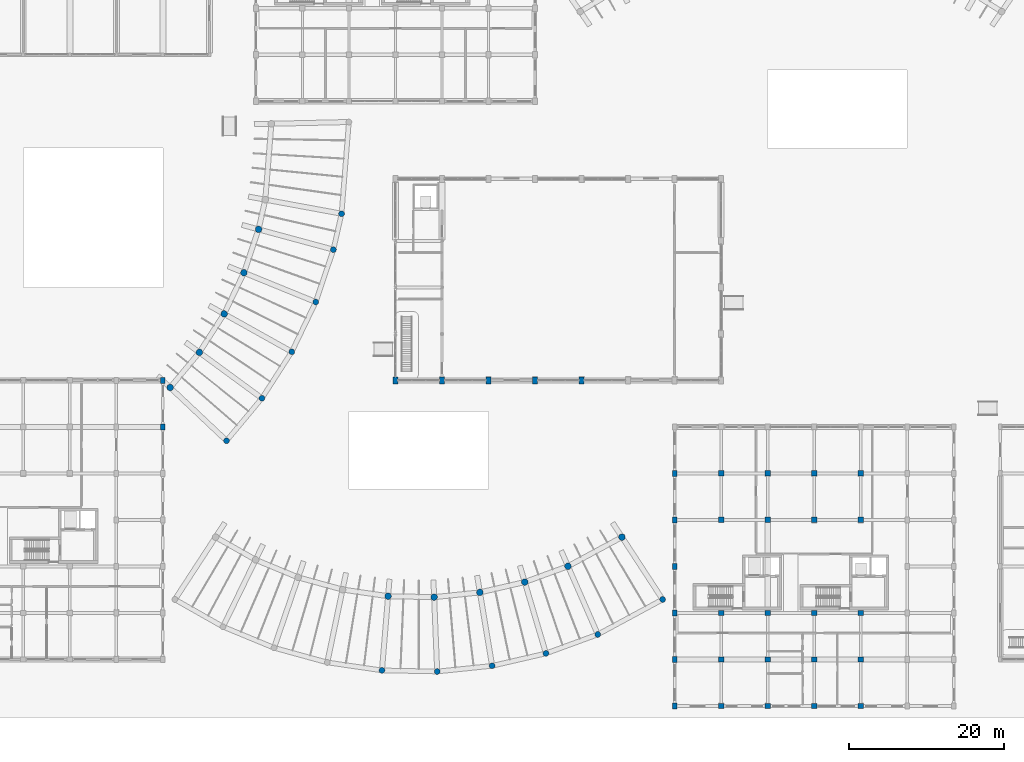
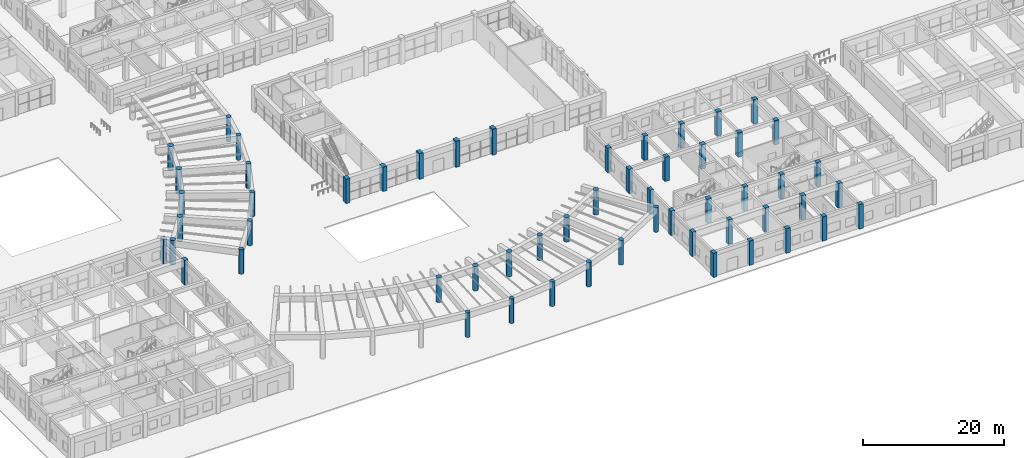
# One storey, part 3 of 76: 56 columns.
"""IFC4 building model written with IfcOpenShell, lengths in metres."""

from ifc_helpers import new_model, si_unit, direction, frame, origin, origin_2d, place, context, subcontext, project, spatial, rectangle, circle, extrude, material, material_profile, profile_set, type_object, element, save


model = new_model("IFC4")

# Units and contexts
model_context = context("Model", 3, precision=1e-05, world=origin(), true_north=direction((0.0, 1.0)))
body_context = subcontext(model_context, "Body", "Model", "MODEL_VIEW")
ifc_project = project(units=[si_unit("LENGTHUNIT", "METRE"), si_unit("AREAUNIT", "SQUARE_METRE"), si_unit("VOLUMEUNIT", "CUBIC_METRE"), si_unit("PLANEANGLEUNIT", "RADIAN"), si_unit("MASSUNIT", "GRAM", prefix="KILO"), si_unit("POWERUNIT", "WATT"), si_unit("THERMODYNAMICTEMPERATUREUNIT", "KELVIN")], contexts=[model_context])

# Site, building, storey
site_placement = place(None, origin())
site = spatial("IfcSite", under=ifc_project, at=site_placement, CompositionType="ELEMENT")
building_placement = place(site_placement, origin())
building = spatial("IfcBuilding", under=site, at=building_placement, Name="Ruvembo Vaulted Housing Court", CompositionType="ELEMENT")
storey_placement = place(building_placement, origin())
storey = spatial("IfcBuildingStorey", under=building, at=storey_placement, Name="L00", CompositionType="ELEMENT", Elevation=0.0)

# Columns
ifc_material = material(Name="Concrete C40/50", Category="concrete")
ifc_material_profile_1 = material_profile(ifc_material, rectangle(XDim=0.60009765625, YDim=0.800048828125, at=origin_2d()), Name="RC 600x800")
ifc_profile_set_1 = profile_set([ifc_material_profile_1], Name="Concrete C40/50")
column_type_1 = type_object("IfcColumnType", Name="COL-RC-600x800", PredefinedType="COLUMN", material=ifc_profile_set_1)
for number, where, z_axis, x_axis, name in (
    (1, (36.0, 36.0, 0.0), (0.0, 0.0, 1.0), (1.0, 0.0, 0.0), "L00 Column (36,36)"),
    (2, (36.0, 42.0, 0.0), (0.0, 0.0, 1.0), (1.0, 0.0, 0.0), "L00 Column (36,42)"),
    (3, (102.0, 0.0, 0.0), (0.0, 0.0, 1.0), (1.0, 0.0, 0.0), "L00 Column (102,0)"),
    (4, (102.0, 6.0, 0.0), (0.0, 0.0, 1.0), (1.0, 0.0, 0.0), "L00 Column (102,6)"),
    (5, (102.0, 12.0, 0.0), (0.0, 0.0, 1.0), (1.0, 0.0, 0.0), "L00 Column (102,12)"),
    (6, (102.0, 18.0, 0.0), (0.0, 0.0, 1.0), (1.0, 0.0, 0.0), "L00 Column (102,18)"),
    (7, (102.0, 24.0, 0.0), (0.0, 0.0, 1.0), (1.0, 0.0, 0.0), "L00 Column (102,24)"),
    (8, (102.0, 30.0, 0.0), (0.0, 0.0, 1.0), (1.0, 0.0, 0.0), "L00 Column (102,30)"),
):
    element("IfcColumn", number, at=place(storey_placement, frame(where, z_axis=z_axis, x_axis=x_axis)), inside=storey, type_object=column_type_1, Name=name, PredefinedType="COLUMN", context=body_context, shape_type="SweptSolid", body=[
        extrude(rectangle(XDim=0.60009765625, YDim=0.800048828125, at=origin_2d()), origin(), (0.0, 0.0, 1.0), 4.22998046875),
    ])
ifc_material_profile_2 = material_profile(ifc_material, rectangle(XDim=0.64990234375, YDim=0.89990234375, at=origin_2d()), Name="RC 650x900")
ifc_profile_set_2 = profile_set([ifc_material_profile_2], Name="Concrete C40/50")
column_type_2 = type_object("IfcColumnType", Name="COL-RC-650x900", PredefinedType="COLUMN", material=ifc_profile_set_2)
for number, where, z_axis, x_axis, name in (
    (9, (66.0, 42.0, 0.0), (0.0, 0.0, 1.0), (1.0, 0.0, 0.0), "L00 Column (66,42)"),
    (10, (72.0, 42.0, 0.0), (0.0, 0.0, 1.0), (1.0, 0.0, 0.0), "L00 Column (72,42)"),
):
    element("IfcColumn", number, at=place(storey_placement, frame(where, z_axis=z_axis, x_axis=x_axis)), inside=storey, type_object=column_type_2, Name=name, PredefinedType="COLUMN", context=body_context, shape_type="SweptSolid", body=[
        extrude(rectangle(XDim=0.64990234375, YDim=0.89990234375, at=origin_2d()), origin(), (0.0, 0.0, 1.0), 4.22998046875),
    ])
for number, where, z_axis, x_axis, name in (
    (11, (78.0, 42.0, 0.0), (0.0, 0.0, 1.0), (1.0, 0.0, 0.0), "L00 Column (78,42)"),
    (12, (84.0, 42.0, 0.0), (0.0, 0.0, 1.0), (1.0, 0.0, 0.0), "L00 Column (84,42)"),
    (13, (90.0, 42.0, 0.0), (0.0, 0.0, 1.0), (1.0, 0.0, 0.0), "L00 Column (90,42)"),
):
    element("IfcColumn", number, at=place(storey_placement, frame(where, z_axis=z_axis, x_axis=x_axis)), inside=storey, type_object=column_type_2, Name=name, PredefinedType="COLUMN", context=body_context, shape_type="SweptSolid", body=[
        extrude(rectangle(XDim=0.64990234375, YDim=0.89990234375, at=origin_2d()), origin(), (0.0, 0.0, 1.0), 4.5),
    ])
ifc_material_profile_3 = material_profile(ifc_material, rectangle(XDim=0.699951171875, YDim=0.699951171875, at=origin_2d()), Name="RC 700x700")
ifc_profile_set_3 = profile_set([ifc_material_profile_3], Name="Concrete C40/50")
column_type_3 = type_object("IfcColumnType", Name="COL-RC-700", PredefinedType="COLUMN", material=ifc_profile_set_3)
for number, where, z_axis, x_axis, name in (
    (14, (108.0, 0.0, 0.0), (0.0, 0.0, 1.0), (1.0, 0.0, 0.0), "L00 Column (108,0)"),
    (15, (108.0, 6.0, 0.0), (0.0, 0.0, 1.0), (1.0, 0.0, 0.0), "L00 Column (108,6)"),
    (16, (108.0, 12.0, 0.0), (0.0, 0.0, 1.0), (1.0, 0.0, 0.0), "L00 Column (108,12)"),
    (17, (108.0, 24.0, 0.0), (0.0, 0.0, 1.0), (1.0, 0.0, 0.0), "L00 Column (108,24)"),
    (18, (108.0, 30.0, 0.0), (0.0, 0.0, 1.0), (1.0, 0.0, 0.0), "L00 Column (108,30)"),
    (19, (114.0, 0.0, 0.0), (0.0, 0.0, 1.0), (1.0, 0.0, 0.0), "L00 Column (114,0)"),
    (20, (114.0, 6.0, 0.0), (0.0, 0.0, 1.0), (1.0, 0.0, 0.0), "L00 Column (114,6)"),
    (21, (114.0, 12.0, 0.0), (0.0, 0.0, 1.0), (1.0, 0.0, 0.0), "L00 Column (114,12)"),
    (22, (114.0, 24.0, 0.0), (0.0, 0.0, 1.0), (1.0, 0.0, 0.0), "L00 Column (114,24)"),
    (23, (114.0, 30.0, 0.0), (0.0, 0.0, 1.0), (1.0, 0.0, 0.0), "L00 Column (114,30)"),
    (24, (120.0, 0.0, 0.0), (0.0, 0.0, 1.0), (1.0, 0.0, 0.0), "L00 Column (120,0)"),
    (25, (120.0, 6.0, 0.0), (0.0, 0.0, 1.0), (1.0, 0.0, 0.0), "L00 Column (120,6)"),
    (26, (120.0, 12.0, 0.0), (0.0, 0.0, 1.0), (1.0, 0.0, 0.0), "L00 Column (120,12)"),
    (27, (120.0, 24.0, 0.0), (0.0, 0.0, 1.0), (1.0, 0.0, 0.0), "L00 Column (120,24)"),
    (28, (120.0, 30.0, 0.0), (0.0, 0.0, 1.0), (1.0, 0.0, 0.0), "L00 Column (120,30)"),
    (29, (126.0, 0.0, 0.0), (0.0, 0.0, 1.0), (1.0, 0.0, 0.0), "L00 Column (126,0)"),
    (30, (126.0, 6.0, 0.0), (0.0, 0.0, 1.0), (1.0, 0.0, 0.0), "L00 Column (126,6)"),
    (31, (126.0, 12.0, 0.0), (0.0, 0.0, 1.0), (1.0, 0.0, 0.0), "L00 Column (126,12)"),
    (32, (126.0, 24.0, 0.0), (0.0, 0.0, 1.0), (1.0, 0.0, 0.0), "L00 Column (126,24)"),
    (33, (126.0, 30.0, 0.0), (0.0, 0.0, 1.0), (1.0, 0.0, 0.0), "L00 Column (126,30)"),
):
    element("IfcColumn", number, at=place(storey_placement, frame(where, z_axis=z_axis, x_axis=x_axis)), inside=storey, type_object=column_type_3, Name=name, PredefinedType="COLUMN", context=body_context, shape_type="SweptSolid", body=[
        extrude(rectangle(XDim=0.699951171875, YDim=0.699951171875, at=origin_2d()), origin(), (0.0, 0.0, 1.0), 4.22998046875),
    ])
ifc_material_profile_4 = material_profile(ifc_material, circle(Radius=0.375, at=origin_2d()), Name="RC D750")
ifc_profile_set_4 = profile_set([ifc_material_profile_4], Name="Concrete C40/50")
column_type_4 = type_object("IfcColumnType", Name="PILOTIS-D750", PredefinedType="COLUMN", material=ifc_profile_set_4)
for number, where, z_axis, x_axis, name in (
    (34, (44.207763671875, 34.21923828125, 0.0), (0.0, 0.0, 1.0), (1.0, 0.0, 0.0), "L00 Scooped Pier CP-SC1-B01"),
    (35, (48.767333984375, 39.6953125, 0.0), (0.0, 0.0, 1.0), (1.0, 0.0, 0.0), "L00 Scooped Pier CP-SC1-B02"),
    (36, (52.620849609375, 45.688720703125, 0.0), (0.0, 0.0, 1.0), (1.0, 0.0, 0.0), "L00 Scooped Pier CP-SC1-B03"),
    (37, (55.71044921875, 52.109619140625, 0.0), (0.0, 0.0, 1.0), (1.0, 0.0, 0.0), "L00 Scooped Pier CP-SC1-B04"),
    (38, (57.989501953125, 58.861083984375, 0.0), (0.0, 0.0, 1.0), (1.0, 0.0, 0.0), "L00 Scooped Pier CP-SC1-B05"),
    (39, (59.040771484375, 63.495361328125, 0.0), (0.0, 0.0, 1.0), (1.0, 0.0, 0.0), "L00 Scooped Pier CP-SC1-B06"),
    (40, (64.2529296875, 4.595947265625, 0.0), (0.0, 0.0, 1.0), (1.0, 0.0, 0.0), "L00 Scooped Pier CP-SC2-B05"),
    (41, (71.37548828125, 4.448974609375, 0.0), (0.0, 0.0, 1.0), (1.0, 0.0, 0.0), "L00 Scooped Pier CP-SC2-B06"),
    (42, (78.461669921875, 5.182373046875, 0.0), (0.0, 0.0, 1.0), (1.0, 0.0, 0.0), "L00 Scooped Pier CP-SC2-B07"),
    (43, (85.403076171875, 6.784912109375, 0.0), (0.0, 0.0, 1.0), (1.0, 0.0, 0.0), "L00 Scooped Pier CP-SC2-B08"),
    (44, (92.093505859375, 9.232177734375, 0.0), (0.0, 0.0, 1.0), (1.0, 0.0, 0.0), "L00 Scooped Pier CP-SC2-B09"),
    (45, (100.44775390625, 13.742431640625, 0.0), (0.0, 0.0, 1.0), (1.0, 0.0, 0.0), "L00 Scooped Pier CP-SC2-B10"),
):
    element("IfcColumn", number, at=place(storey_placement, frame(where, z_axis=z_axis, x_axis=x_axis)), inside=storey, type_object=column_type_4, Name=name, PredefinedType="COLUMN", context=body_context, shape_type="SweptSolid", body=[
        extrude(circle(Radius=0.375, at=origin_2d()), origin(), (0.0, 0.0, 1.0), 4.248046875),
    ])
ifc_material_profile_5 = material_profile(ifc_material, circle(Radius=0.425048828125, at=origin_2d()), Name="RC D850")
ifc_profile_set_5 = profile_set([ifc_material_profile_5], Name="Concrete C40/50")
column_type_5 = type_object("IfcColumnType", Name="PILOTIS-D850", PredefinedType="COLUMN", material=ifc_profile_set_5)
for number, where, z_axis, x_axis, name in (
    (46, (36.9306640625, 41.078125, 0.0), (0.0, 0.0, 1.0), (1.0, 0.0, 0.0), "L00 Scooped Pier CP-SC1-F01"),
    (47, (40.7041015625, 45.60986328125, 0.0), (0.0, 0.0, 1.0), (1.0, 0.0, 0.0), "L00 Scooped Pier CP-SC1-F02"),
    (48, (43.89306640625, 50.570068359375, 0.0), (0.0, 0.0, 1.0), (1.0, 0.0, 0.0), "L00 Scooped Pier CP-SC1-F03"),
    (49, (46.449951171875, 55.8837890625, 0.0), (0.0, 0.0, 1.0), (1.0, 0.0, 0.0), "L00 Scooped Pier CP-SC1-F04"),
    (50, (48.3359375, 61.47119140625, 0.0), (0.0, 0.0, 1.0), (1.0, 0.0, 0.0), "L00 Scooped Pier CP-SC1-F05"),
    (51, (65.044189453125, 14.163330078125, 0.0), (0.0, 0.0, 1.0), (1.0, 0.0, 0.0), "L00 Scooped Pier CP-SC2-F05"),
    (52, (70.9794921875, 14.040771484375, 0.0), (0.0, 0.0, 1.0), (1.0, 0.0, 0.0), "L00 Scooped Pier CP-SC2-F06"),
    (53, (76.884765625, 14.652099609375, 0.0), (0.0, 0.0, 1.0), (1.0, 0.0, 0.0), "L00 Scooped Pier CP-SC2-F07"),
    (54, (82.669189453125, 15.987548828125, 0.0), (0.0, 0.0, 1.0), (1.0, 0.0, 0.0), "L00 Scooped Pier CP-SC2-F08"),
    (55, (88.24462890625, 18.02685546875, 0.0), (0.0, 0.0, 1.0), (1.0, 0.0, 0.0), "L00 Scooped Pier CP-SC2-F09"),
    (56, (95.20654296875, 21.785400390625, 0.0), (0.0, 0.0, 1.0), (1.0, 0.0, 0.0), "L00 Scooped Pier CP-SC2-F10"),
):
    element("IfcColumn", number, at=place(storey_placement, frame(where, z_axis=z_axis, x_axis=x_axis)), inside=storey, type_object=column_type_5, Name=name, PredefinedType="COLUMN", context=body_context, shape_type="SweptSolid", body=[
        extrude(circle(Radius=0.425048828125, at=origin_2d()), origin(), (0.0, 0.0, 1.0), 4.248046875),
    ])

save(model, "model.ifc")
